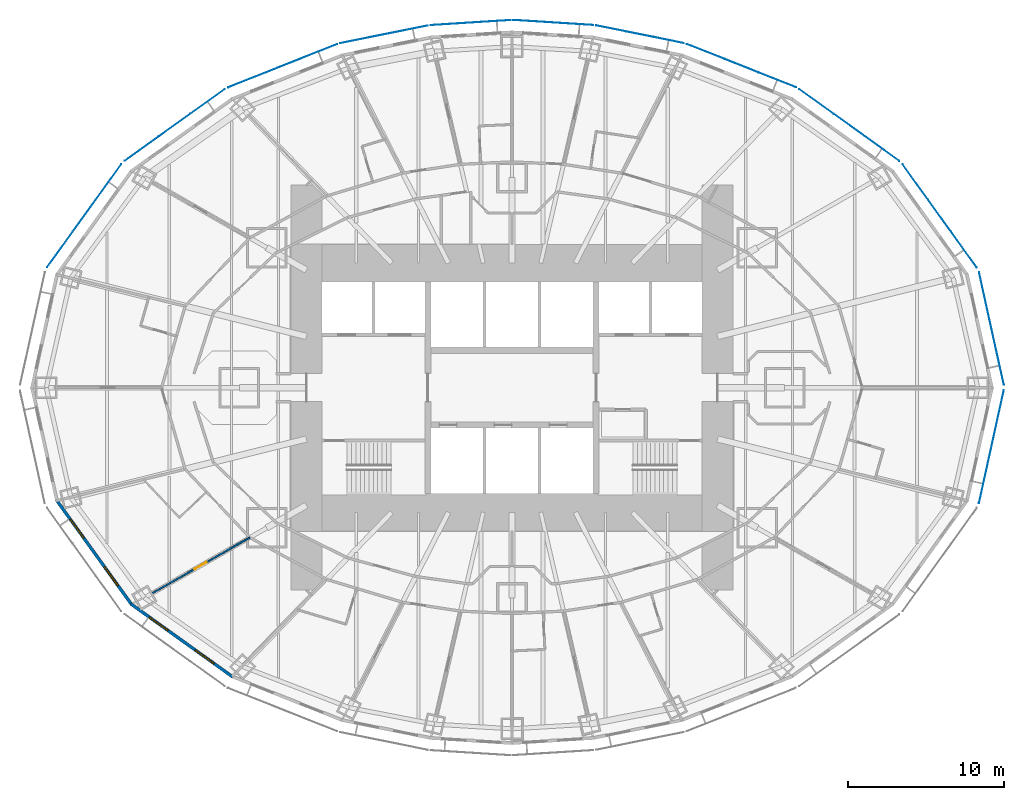
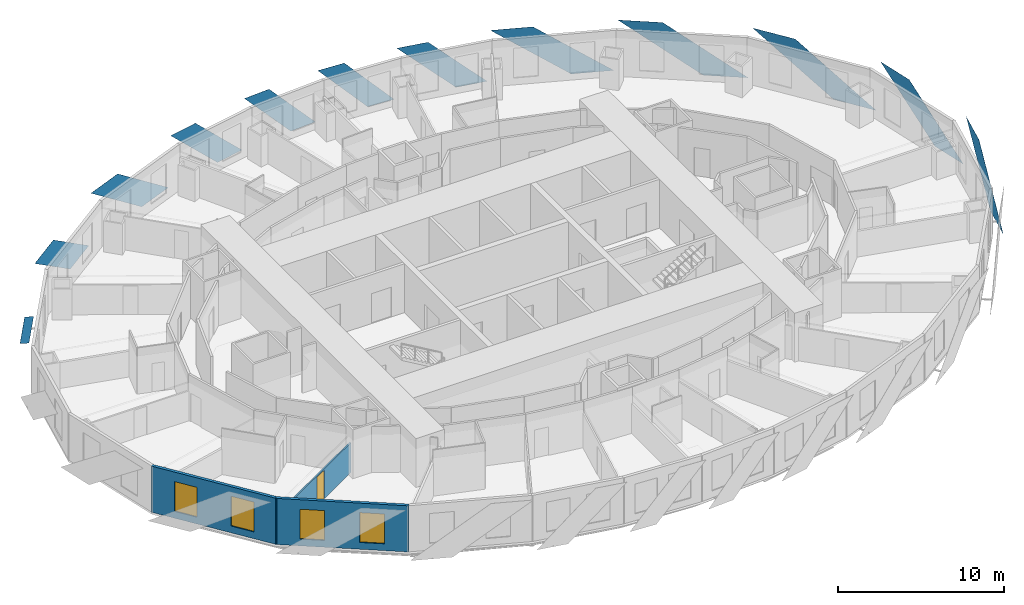
# One storey, part 4 of 15: 12 plates, 4 windows, 3 walls, 1 door, 5 openings.
"""IFC4 building model written with IfcOpenShell, lengths in metres."""

from ifc_helpers import new_model, si_unit, direction, frame, frame_2d, origin, place, context, subcontext, project, spatial, polyline, rectangle, outline, extrude, material, layer, layer_set, type_object, element, fill, save


model = new_model("IFC4")

# Units and contexts
model_context = context("Model", 3, precision=1e-05, world=origin(), true_north=direction((0.0, 1.0)))
body_context = subcontext(model_context, "Body", "Model", "MODEL_VIEW")
ifc_project = project(units=[si_unit("LENGTHUNIT", "METRE"), si_unit("AREAUNIT", "SQUARE_METRE"), si_unit("VOLUMEUNIT", "CUBIC_METRE"), si_unit("PLANEANGLEUNIT", "RADIAN"), si_unit("MASSUNIT", "GRAM", prefix="KILO")], contexts=[model_context])

# Site, building, storey
site_placement = place(None, origin())
site = spatial("IfcSite", under=ifc_project, at=site_placement, CompositionType="ELEMENT")
building_placement = place(site_placement, origin())
building = spatial("IfcBuilding", under=site, at=building_placement, Name="Lantaw Convention Tower", CompositionType="ELEMENT")
storey_placement = place(building_placement, frame((0.0, 0.0, 101.800048828125)))
storey = spatial("IfcBuildingStorey", under=building, at=storey_placement, Name="L24", CompositionType="ELEMENT", Elevation=101.800048828125)

# Plates
ifc_material_1 = material(Name="Perforated aluminium sheet, pale silver finish", Category="aluminium")
ifc_layer_1 = layer(ifc_material_1, 0.006103515625)
ifc_layer_set_1 = layer_set([ifc_layer_1], Name="Perforated aluminium solar SCREEN panel")
plate_type = type_object("IfcPlateType", Name="Perforated aluminium solar SCREEN panel", PredefinedType="SHEET", material=ifc_layer_set_1)
plate_1_placement = place(storey_placement, frame((31.5810546875, 0.17919921875, -0.175048828125), z_axis=(-0.976559435574, -0.215247921851, 3.0498091e-05), x_axis=(-0.215247921951, 0.976559436028, 3.14e-10)))
element("IfcPlate", 1, at=plate_1_placement, inside=storey, type_object=plate_type, Name="Solar SCREEN panel", PredefinedType="SHEET", context=body_context, shape_type="SweptSolid", body=[
    extrude(outline(polyline([(0.0, 0.0), (2.551002212329069, 0.0), (7.402498252985417, -3.715087890027409), (4.851734458487411, -3.7150878916300325), (0.0, 0.0)])), origin(), (0.0, 0.0, -1.0), 0.006103515625),
])
plate_2_placement = place(storey_placement, frame((29.847900390625, 7.720947265625, -0.175048828125), z_axis=(0.811791382612, 0.583947558462, 9.079724e-06), x_axis=(-0.583947558486, 0.811791382646, 0.0)))
element("IfcPlate", 2, at=plate_2_placement, inside=storey, type_object=plate_type, Name="Solar SCREEN panel", PredefinedType="SHEET", context=body_context, shape_type="SweptSolid", body=[
    extrude(outline(polyline([(0.0, 0.0), (2.809541672291133, -1.6940658945086007e-21), (8.163093158837512, 3.715087890778139), (5.353551486546379, 3.715087890778139), (0.0, 0.0)])), origin(), (0.0, 0.0, -1.0), 0.006103515625),
])
plate_3_placement = place(storey_placement, frame((24.872314453125, 14.555908203125, -0.175048828125), z_axis=(0.582561421997, 0.81278668133, 1.5925455e-05), x_axis=(-0.812786681433, 0.582561422071, 0.0)))
element("IfcPlate", 3, at=plate_3_placement, inside=storey, type_object=plate_type, Name="Solar SCREEN panel", PredefinedType="SHEET", context=body_context, shape_type="SweptSolid", body=[
    extrude(outline(polyline([(0.0, 0.0), (2.721095180812288, 0.0), (7.903118572410756, 3.715087891096111), (5.182023391598468, 3.715087891096111), (0.0, 0.0)])), origin(), (0.0, 0.0, -1.0), 0.006103515625),
])
plate_4_placement = place(storey_placement, frame((18.232177734375, 19.278076171875, -0.175048828125), z_axis=(-0.369183532846, -0.929356508015, 9.224718e-06), x_axis=(-0.929356508055, 0.369183532862, 0.0)))
element("IfcPlate", 4, at=plate_4_placement, inside=storey, type_object=plate_type, Name="Solar SCREEN panel", PredefinedType="SHEET", context=body_context, shape_type="SweptSolid", body=[
    extrude(outline(polyline([(0.0, 0.0), (2.594936467166582, 0.0), (7.5321069917580825, -3.7150878907830682), (4.937170524591499, -3.7150878907830682), (0.0, 0.0)])), origin(), (0.0, 0.0, -1.0), 0.006103515625),
])
plate_5_placement = place(storey_placement, frame((11.03271484375, 22.117919921875, -0.175048828125), z_axis=(-0.197781876197, -0.980246055561, 2.434747e-06), x_axis=(-0.980246055563, 0.197781876198, 1.47e-10)))
element("IfcPlate", 5, at=plate_5_placement, inside=storey, type_object=plate_type, Name="Solar SCREEN panel", PredefinedType="SHEET", context=body_context, shape_type="SweptSolid", body=[
    extrude(outline(polyline([(0.0, 0.0), (1.9867801772236329, -1.0587911840678754e-22), (5.743587245978565, -3.7150878897937787), (3.7568553553458006, -3.71508789037645), (0.0, 0.0)])), origin(), (0.0, 0.0, -1.0), 0.006103515625),
])
plate_6_placement = place(storey_placement, frame((5.221923828125, 23.27783203125, -0.175048828125), z_axis=(-0.062923905251, -0.998018327467, 1.3696694e-05), x_axis=(-0.998018327561, 0.062923905257, 9.36e-10)))
element("IfcPlate", 6, at=plate_6_placement, inside=storey, type_object=plate_type, Name="Solar SCREEN panel", PredefinedType="SHEET", context=body_context, shape_type="SweptSolid", body=[
    extrude(outline(polyline([(0.0, 0.0), (1.7828375409377817, 0.0), (5.143985963027618, -3.7150878861589613), (3.3611637843713935, -3.7150878894962402), (0.0, 0.0)])), origin(), (0.0, 0.0, -1.0), 0.006103515625),
])
plate_7_placement = place(storey_placement, frame((-0.088134765625, 23.6015625, -0.175048828125), z_axis=(-0.062923905251, 0.998018327467, 1.3696694e-05), x_axis=(-0.998018327561, -0.062923905257, -9.36e-10)))
element("IfcPlate", 7, at=plate_7_placement, inside=storey, type_object=plate_type, Name="Solar SCREEN panel", PredefinedType="SHEET", context=body_context, shape_type="SweptSolid", body=[
    extrude(outline(polyline([(0.0, 0.0), (1.782822178656225, -2.117582368135751e-22), (5.143985956073316, 3.715087895788029), (3.3611484151355353, 3.715087892450722), (0.0, 0.0)])), origin(), (0.0, 0.0, -1.0), 0.006103515625),
])
plate_8_placement = place(storey_placement, frame((-5.402587890625, 23.25390625, -0.175048828125), z_axis=(-0.197781876197, 0.980246055561, 2.434747e-06), x_axis=(-0.980246055563, -0.197781876198, -1.47e-10)))
element("IfcPlate", 8, at=plate_8_placement, inside=storey, type_object=plate_type, Name="Solar SCREEN panel", PredefinedType="SHEET", context=body_context, shape_type="SweptSolid", body=[
    extrude(outline(polyline([(0.0, 0.0), (1.9867318906327642, 1.0587911840678754e-22), (5.743587244888999, 3.7150878914782655), (3.7568070676653664, 3.71508789089558), (0.0, 0.0)])), origin(), (0.0, 0.0, -1.0), 0.006103515625),
])
plate_9_placement = place(storey_placement, frame((-11.232177734375, 22.058837890625, -0.175048828125), z_axis=(-0.369183532846, 0.929356508015, 9.224718e-06), x_axis=(-0.929356508055, -0.369183532862, 0.0)))
element("IfcPlate", 9, at=plate_9_placement, inside=storey, type_object=plate_type, Name="Solar SCREEN panel", PredefinedType="SHEET", context=body_context, shape_type="SweptSolid", body=[
    extrude(outline(polyline([(0.0, 0.0), (2.594936467166582, 0.0), (7.5321069917580825, 3.7150878907830682), (4.937170524591499, 3.7150878907830682), (0.0, 0.0)])), origin(), (0.0, 0.0, -1.0), 0.006103515625),
])
plate_10_placement = place(storey_placement, frame((-18.44873046875, 19.159912109375, -0.175048828125), z_axis=(0.582561421997, -0.81278668133, 1.5925455e-05), x_axis=(-0.812786681433, -0.582561422071, 0.0)))
element("IfcPlate", 10, at=plate_10_placement, inside=storey, type_object=plate_type, Name="Solar SCREEN panel", PredefinedType="SHEET", context=body_context, shape_type="SweptSolid", body=[
    extrude(outline(polyline([(0.0, 0.0), (2.721095180812288, 0.0), (7.903118572410756, -3.715087891096111), (5.182023391598468, -3.715087891096111), (0.0, 0.0)])), origin(), (0.0, 0.0, -1.0), 0.006103515625),
])
plate_11_placement = place(storey_placement, frame((-25.0810546875, 14.34765625, -0.175048828125), z_axis=(0.811791382612, -0.583947558462, 9.079724e-06), x_axis=(-0.583947558486, -0.811791382646, 0.0)))
element("IfcPlate", 11, at=plate_11_placement, inside=storey, type_object=plate_type, Name="Solar SCREEN panel", PredefinedType="SHEET", context=body_context, shape_type="SweptSolid", body=[
    extrude(outline(polyline([(0.0, 0.0), (2.809541672291133, 1.6940658945086007e-21), (8.163093158837512, -3.715087890778139), (5.353551486546379, -3.715087890778139), (0.0, 0.0)])), origin(), (0.0, 0.0, -1.0), 0.006103515625),
])
plate_12_placement = place(storey_placement, frame((29.98779296875, -7.408203125, -0.175048828125), z_axis=(0.976559435574, -0.215247921851, 3.0498091e-05), x_axis=(0.215247921951, 0.976559436028, -3.14e-10)))
element("IfcPlate", 12, at=plate_12_placement, inside=storey, type_object=plate_type, Name="Solar SCREEN panel", PredefinedType="SHEET", context=body_context, shape_type="SweptSolid", body=[
    extrude(outline(polyline([(0.0, 0.0), (2.5507637944980073, 3.3881317890172014e-21), (7.40249825065126, 3.7150878946783354), (4.851496038322192, 3.715087893075563), (0.0, 0.0)])), origin(), (0.0, 0.0, -1.0), 0.006103515625),
])

# Wall, openings, windows
ifc_material_2 = material(Name="Insulated aluminium panel on steel frame", Category="steel")
ifc_layer_2 = layer(ifc_material_2, 0.199951171875)
ifc_layer_set_2 = layer_set([ifc_layer_2], Name="External wall 200")
wall_type_1 = type_object("IfcWallType", Name="External wall 200", PredefinedType="SOLIDWALL", material=ifc_layer_set_2)
wall_1_placement = place(storey_placement, frame((-29.260498046875, -7.199951171875, 0.0), z_axis=(0.0, 0.0, 1.0), x_axis=(0.583937613703, -0.811798536155, 0.0)))
wall_1 = element("IfcWall", 13, at=wall_1_placement, inside=storey, type_object=wall_type_1, Name="Facade panel wall", PredefinedType="SOLIDWALL", context=body_context, shape_type="SweptSolid", body=[
    extrude(rectangle(XDim=8.322998046875, YDim=0.199951171875, at=frame_2d((4.16162109375, 0.0))), origin(), (0.0, 0.0, 1.0), 3.39990234375),
])
opening_1_placement = place(wall_1_placement, frame((1.53076171875, 0.0, 0.5)))
opening_1 = element("IfcOpeningElement", 14, at=opening_1_placement, cuts=wall_1, Name="Opening W2", PredefinedType="OPENING", context=body_context, shape_type="SweptSolid", body=[
    extrude(rectangle(XDim=1.5, YDim=2.199951171875, at=frame_2d((0.75, 1.10009765625))), frame((0.0, 0.10986328125, 0.0), z_axis=(0.0, -1.0, 0.0), x_axis=(1.0, 0.0, 0.0)), (0.0, 0.0, 1.0), 0.219970703125),
])
opening_2_placement = place(wall_1_placement, frame((5.292236328125, 0.0, 0.5)))
opening_2 = element("IfcOpeningElement", 15, at=opening_2_placement, cuts=wall_1, Name="Opening W2", PredefinedType="OPENING", context=body_context, shape_type="SweptSolid", body=[
    extrude(rectangle(XDim=1.5, YDim=2.199951171875, at=frame_2d((0.75, 1.10009765625))), frame((0.0, 0.10986328125, 0.0), z_axis=(0.0, -1.0, 0.0), x_axis=(1.0, 0.0, 0.0)), (0.0, 0.0, 1.0), 0.219970703125),
])
ifc_material_3 = material(Name="Aluminium frame, clear insulating glass", Category="aluminium")
window_type = type_object("IfcWindowType", Name="Suite window 1500x2200", PartitioningType="SINGLE_PANEL", PredefinedType="WINDOW", material=ifc_material_3)
window_1_placement = place(opening_1_placement, origin())
window_1 = element("IfcWindow", 16, at=window_1_placement, inside=storey, type_object=window_type, Name="Guest room window", OverallHeight=2.199951171875, OverallWidth=1.5, PartitioningType="SINGLE_PANEL", PredefinedType="WINDOW", context=body_context, shape_type="SweptSolid", body=[
    extrude(rectangle(XDim=1.5, YDim=2.199951171875, at=frame_2d((0.75, 1.10009765625))), frame((0.0, 0.030029296875, 0.0), z_axis=(0.0, -1.0, 0.0), x_axis=(1.0, 0.0, 0.0)), (0.0, 0.0, 1.0), 0.06005859375),
])
fill(opening_1, window_1)
window_2_placement = place(opening_2_placement, origin())
window_2 = element("IfcWindow", 17, at=window_2_placement, inside=storey, type_object=window_type, Name="Guest room window", OverallHeight=2.199951171875, OverallWidth=1.5, PartitioningType="SINGLE_PANEL", PredefinedType="WINDOW", context=body_context, shape_type="SweptSolid", body=[
    extrude(rectangle(XDim=1.5, YDim=2.199951171875, at=frame_2d((0.75, 1.10009765625))), frame((0.0, 0.030029296875, 0.0), z_axis=(0.0, -1.0, 0.0), x_axis=(1.0, 0.0, 0.0)), (0.0, 0.0, 1.0), 0.06005859375),
])
fill(opening_2, window_2)

wall_2_placement = place(storey_placement, frame((-24.482421875, -13.87451171875, 0.0), z_axis=(0.0, 0.0, 1.0), x_axis=(0.812791321576, -0.582554948112, 0.0)))
wall_2 = element("IfcWall", 18, at=wall_2_placement, inside=storey, type_object=wall_type_1, Name="Facade panel wall", PredefinedType="SOLIDWALL", context=body_context, shape_type="SweptSolid", body=[
    extrude(rectangle(XDim=8.063232421875, YDim=0.199951171875, at=frame_2d((4.03173828125, 0.0))), origin(), (0.0, 0.0, 1.0), 3.39990234375),
])
opening_3_placement = place(wall_2_placement, frame((1.4658203125, 0.0, 0.5)))
opening_3 = element("IfcOpeningElement", 19, at=opening_3_placement, cuts=wall_2, Name="Opening W2", PredefinedType="OPENING", context=body_context, shape_type="SweptSolid", body=[
    extrude(rectangle(XDim=1.5, YDim=2.199951171875, at=frame_2d((0.75, 1.10009765625))), frame((0.0, 0.10986328125, 0.0), z_axis=(0.0, -1.0, 0.0), x_axis=(1.0, 0.0, 0.0)), (0.0, 0.0, 1.0), 0.219970703125),
])
opening_4_placement = place(wall_2_placement, frame((5.097412109375, 0.0, 0.5)))
opening_4 = element("IfcOpeningElement", 20, at=opening_4_placement, cuts=wall_2, Name="Opening W2", PredefinedType="OPENING", context=body_context, shape_type="SweptSolid", body=[
    extrude(rectangle(XDim=1.5, YDim=2.199951171875, at=frame_2d((0.75, 1.10009765625))), frame((0.0, 0.10986328125, 0.0), z_axis=(0.0, -1.0, 0.0), x_axis=(1.0, 0.0, 0.0)), (0.0, 0.0, 1.0), 0.219970703125),
])
window_3_placement = place(opening_3_placement, origin())
window_3 = element("IfcWindow", 21, at=window_3_placement, inside=storey, type_object=window_type, Name="Guest room window", OverallHeight=2.199951171875, OverallWidth=1.5, PartitioningType="SINGLE_PANEL", PredefinedType="WINDOW", context=body_context, shape_type="SweptSolid", body=[
    extrude(rectangle(XDim=1.5, YDim=2.199951171875, at=frame_2d((0.75, 1.10009765625))), frame((0.0, 0.030029296875, 0.0), z_axis=(0.0, -1.0, 0.0), x_axis=(1.0, 0.0, 0.0)), (0.0, 0.0, 1.0), 0.06005859375),
])
fill(opening_3, window_3)
window_4_placement = place(opening_4_placement, origin())
window_4 = element("IfcWindow", 22, at=window_4_placement, inside=storey, type_object=window_type, Name="Guest room window", OverallHeight=2.199951171875, OverallWidth=1.5, PartitioningType="SINGLE_PANEL", PredefinedType="WINDOW", context=body_context, shape_type="SweptSolid", body=[
    extrude(rectangle(XDim=1.5, YDim=2.199951171875, at=frame_2d((0.75, 1.10009765625))), frame((0.0, 0.030029296875, 0.0), z_axis=(0.0, -1.0, 0.0), x_axis=(1.0, 0.0, 0.0)), (0.0, 0.0, 1.0), 0.06005859375),
])
fill(opening_4, window_4)

# Wall, opening, door
ifc_material_4 = material(Name="Gypsum board on steel studs", Category="steel")
ifc_layer_3 = layer(ifc_material_4, 0.10009765625)
ifc_layer_set_3 = layer_set([ifc_layer_3], Name="Suite partition 100")
wall_type_2 = type_object("IfcWallType", Name="Suite partition 100", PredefinedType="PARTITIONING", material=ifc_layer_set_3)
wall_3_placement = place(storey_placement, frame((-23.1708984375, -13.240478515625, 0.0), z_axis=(0.0, 0.0, 1.0), x_axis=(0.868253436131, 0.496120923412, 0.0)))
wall_3 = element("IfcWall", 23, at=wall_3_placement, inside=storey, type_object=wall_type_2, Name="Suite partition 100", PredefinedType="PARTITIONING", context=body_context, shape_type="SweptSolid", body=[
    extrude(rectangle(XDim=7.29736328125, YDim=0.10009765625, at=frame_2d((3.648681640625, 0.0))), origin(), (0.0, 0.0, 1.0), 2.199951171875),
])
opening_5_placement = place(wall_3_placement, frame((3.198486328125, 0.0, 0.0)))
opening_5 = element("IfcOpeningElement", 24, at=opening_5_placement, cuts=wall_3, Name="Opening L24.41", PredefinedType="OPENING", context=body_context, shape_type="SweptSolid", body=[
    extrude(rectangle(XDim=0.89990234375, YDim=2.10009765625, at=frame_2d((0.449951171875, 1.050048828125))), frame((0.0, 0.06005859375, 0.0), z_axis=(0.0, -1.0, 0.0), x_axis=(1.0, 0.0, 0.0)), (0.0, 0.0, 1.0), 0.1201171875),
])
ifc_material_5 = material(Name="Timber", Category="wood")
door_type = type_object("IfcDoorType", Name="Suite door 900", OperationType="SINGLE_SWING_LEFT", PredefinedType="DOOR", material=ifc_material_5)
door_placement = place(opening_5_placement, origin())
door = element("IfcDoor", 25, at=door_placement, inside=storey, type_object=door_type, Name="Bedroom door", OperationType="SINGLE_SWING_LEFT", OverallHeight=2.10009765625, OverallWidth=0.89990234375, PredefinedType="DOOR", context=body_context, shape_type="SweptSolid", body=[
    extrude(rectangle(XDim=0.89990234375, YDim=2.10009765625, at=frame_2d((0.449951171875, 1.050048828125))), frame((0.0, 0.02490234375, 0.0), z_axis=(0.0, -1.0, 0.0), x_axis=(1.0, 0.0, 0.0)), (0.0, 0.0, 1.0), 0.050048828125),
])
fill(opening_5, door)

save(model, "model.ifc")
